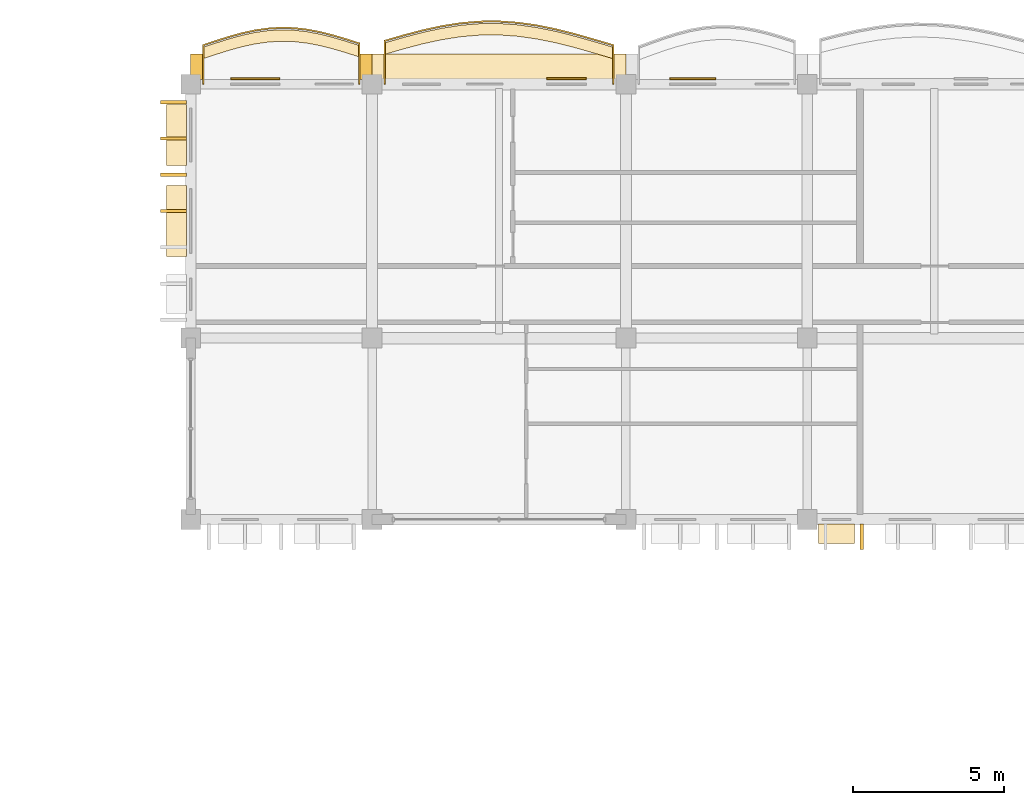
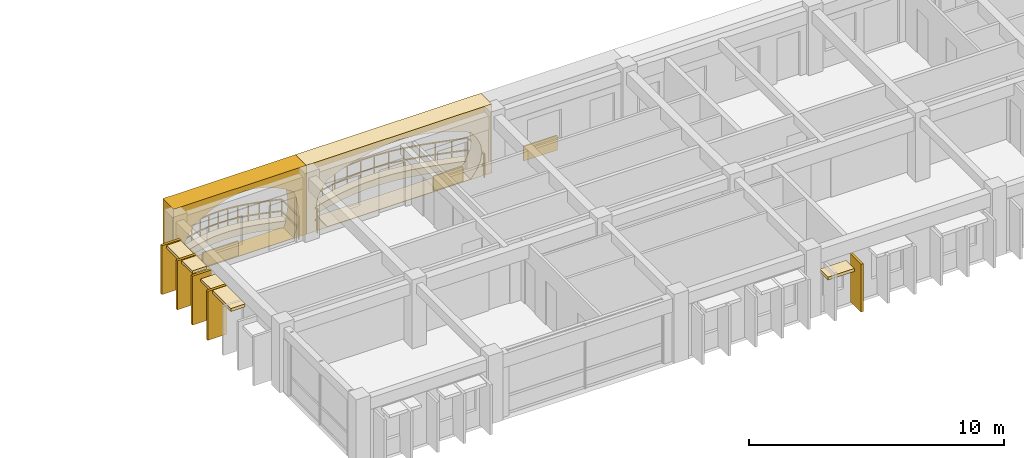
# One storey, part 61 of 76: 15 coverings, 2 railings.
"""IFC4 building model written with IfcOpenShell, lengths in metres."""

import ifcopenshell
import ifcopenshell.guid

model = None  # the IFC model being written
_history = None  # IfcOwnerHistory: only IFC2X3 demands one
_inside = {}  # id of a spatial element -> (the spatial element, [elements in it])
_under = {}  # id of a project, library or spatial element -> (it, [spatial elements below it])
_declared = {}  # id of a project -> (the project, [libraries it declares])
_typed = {}  # id of a type object -> (the type object, [elements of that type])
_made_of = {}  # id of a material, layer set ... -> (it, [elements and type objects made of it])


def new_model(schema):
    """Start an empty IFC model of exactly this schema.

    Asked for "IFC4X3", IfcOpenShell would pick the latest addendum, in which some entities
    have other attributes; the version numbers below select the first issue.
    IFC2X3 requires an IfcOwnerHistory on every rooted entity: one is made here for all.
    """
    global model, _history
    if schema == "IFC4X3":
        model = ifcopenshell.file(schema_version=(4, 3, 0, 0))
    else:
        model = ifcopenshell.file(schema=schema)
    _inside.clear()
    _under.clear()
    _declared.clear()
    _typed.clear()
    _made_of.clear()
    _history = None
    if model.schema == "IFC2X3":
        org = make("IfcOrganization", Name="unknown")
        user = make(
            "IfcPersonAndOrganization",
            ThePerson=make("IfcPerson", FamilyName="unknown"),
            TheOrganization=org,
        )
        app = make(
            "IfcApplication",
            ApplicationDeveloper=org,
            Version="unknown",
            ApplicationFullName="unknown",
            ApplicationIdentifier="unknown",
        )
        _history = make(
            "IfcOwnerHistory",
            OwningUser=user,
            OwningApplication=app,
            ChangeAction="ADDED",
            CreationDate=0,
        )
    return model


def make(cls, **values):
    """One entity of the class cls with the attributes given. An attribute that is None is left unset."""
    return model.create_entity(
        cls, **{name: value for name, value in values.items() if value is not None}
    )


def rooted(cls, **values):
    """An entity with a GlobalId (a new one), such as an element, a storey or a relation."""
    return make(cls, GlobalId=ifcopenshell.guid.new(), OwnerHistory=_history, **values)


def si_unit(unit_type, name, prefix=None):
    """IfcSIUnit, for example si_unit("LENGTHUNIT", "METRE", prefix="MILLI")."""
    return make("IfcSIUnit", UnitType=unit_type, Prefix=prefix, Name=name)


def assignment(units):
    """IfcUnitAssignment: the units of a project."""
    return None if units is None else make("IfcUnitAssignment", Units=units)


def point(xyz):
    """IfcCartesianPoint."""
    return None if xyz is None else make("IfcCartesianPoint", Coordinates=xyz)


def direction(xyz):
    """IfcDirection."""
    return None if xyz is None else make("IfcDirection", DirectionRatios=xyz)


def frame(location, z_axis=None, x_axis=None):
    """IfcAxis2Placement3D, a coordinate frame: its origin and axes. An axis left out is left unset."""
    return make(
        "IfcAxis2Placement3D",
        Location=point(location),
        Axis=direction(z_axis),
        RefDirection=direction(x_axis),
    )


def frame_2d(location, x_axis=None):
    """IfcAxis2Placement2D, a coordinate frame in the plane: its origin and x axis."""
    return make(
        "IfcAxis2Placement2D", Location=point(location), RefDirection=direction(x_axis)
    )


def origin():
    """The frame at (0, 0, 0) with its axes left unset."""
    return frame((0.0, 0.0, 0.0))


def origin_2d():
    """The frame at (0, 0) in the plane with its x axis left unset."""
    return frame_2d((0.0, 0.0))


def place(relative_to, where):
    """IfcLocalPlacement: puts the frame where relative to a parent placement (None: the world)."""
    return make(
        "IfcLocalPlacement", PlacementRelTo=relative_to, RelativePlacement=where
    )


def context(
    kind, dimensions, precision=None, world=None, true_north=None, identifier=None
):
    """IfcGeometricRepresentationContext, for example the 3D "Model" context."""
    return make(
        "IfcGeometricRepresentationContext",
        ContextIdentifier=identifier,
        ContextType=kind,
        CoordinateSpaceDimension=dimensions,
        Precision=precision,
        WorldCoordinateSystem=world,
        TrueNorth=true_north,
    )


def subcontext(parent, identifier, kind, view, scale=None):
    """IfcGeometricRepresentationSubContext, for example "Body" below "Model"."""
    return make(
        "IfcGeometricRepresentationSubContext",
        ContextIdentifier=identifier,
        ContextType=kind,
        ParentContext=parent,
        TargetScale=scale,
        TargetView=view,
    )


def project(units=None, contexts=None):
    """IfcProject with its units and contexts."""
    return rooted(
        "IfcProject",
        Name="project",
        RepresentationContexts=contexts,
        UnitsInContext=assignment(units),
    )


def spatial(cls, under=None, at=None, **own):
    """A site, building, storey or space (cls), placed at a placement, below another one or the project."""
    s = rooted(cls, ObjectPlacement=at, **own)
    if under is not None:
        _under.setdefault(under.id(), (under, []))[1].append(s)
    return s


def polyline(points):
    """IfcPolyline through the points."""
    return make("IfcPolyline", Points=[point(p) for p in points])


def profile(cls, at=None, kind="AREA", **sizes):
    """A parametric profile (cls). Its sizes go by their IFC names, for example OverallWidth=200.0."""
    return make(cls, ProfileType=kind, Position=at, **sizes)


def rectangle(**sizes):
    """IfcRectangleProfileDef."""
    return profile("IfcRectangleProfileDef", **sizes)


def outline(outer, holes=None, kind="AREA"):
    """IfcArbitraryClosedProfileDef: a profile drawn as a closed curve; with holes, ...WithVoids."""
    if holes is None:
        return make("IfcArbitraryClosedProfileDef", ProfileType=kind, OuterCurve=outer)
    return make(
        "IfcArbitraryProfileDefWithVoids",
        ProfileType=kind,
        OuterCurve=outer,
        InnerCurves=holes,
    )


def extrude(swept, where, along, depth):
    """IfcExtrudedAreaSolid: the profile swept, set in the frame where, extruded along a direction by depth."""
    return make(
        "IfcExtrudedAreaSolid",
        SweptArea=swept,
        Position=where,
        ExtrudedDirection=direction(along),
        Depth=depth,
    )


def shape(context_of_items, identifier, shape_type, items):
    """IfcShapeRepresentation: the items that make up one representation, for example the "Body"."""
    return make(
        "IfcShapeRepresentation",
        ContextOfItems=context_of_items,
        RepresentationIdentifier=identifier,
        RepresentationType=shape_type,
        Items=items,
    )


def material(Name=None, Category=None):
    """IfcMaterial."""
    return make("IfcMaterial", Name=Name, Category=Category)


def layer(
    of_material, thickness, ventilated=None, Name=None, Category=None, Priority=None
):
    """IfcMaterialLayer: one layer of a wall or slab, of a material (None: an air gap)."""
    return make(
        "IfcMaterialLayer",
        Material=of_material,
        LayerThickness=thickness,
        IsVentilated=ventilated,
        Name=Name,
        Category=Category,
        Priority=Priority,
    )


def layer_set(layers, Name=None):
    """IfcMaterialLayerSet."""
    return make("IfcMaterialLayerSet", MaterialLayers=layers, LayerSetName=Name)


def made_of(thing, what):
    """Note that an element or type object is made of a material, layer set ...; save() writes the relation."""
    if what is not None:
        _made_of.setdefault(what.id(), (what, []))[1].append(thing)
    return thing


def type_object(cls, material=None, **own):
    """A type object (cls), such as IfcWallType, which elements share."""
    return made_of(rooted(cls, **own), material)


def element(
    cls,
    number,
    at=None,
    inside=None,
    cuts=None,
    type_object=None,
    material=None,
    context=None,
    identifier="Body",
    shape_type=None,
    held_by="IfcProductDefinitionShape",
    body=None,
    shapes=None,
    **own,
):
    """One element of the class cls, such as IfcWall. Its Tag is "e" and its number.

    at: its placement. inside: the storey or other place that contains it. cuts: it is an
    opening in that element (IfcRelVoidsElement). A single representation is given by context,
    identifier, shape_type and body (its items); several are given by shapes. held_by: the class
    of the entity that holds the representations. save() writes the other relations.
    """
    e = rooted(cls, Tag="e%d" % number, ObjectPlacement=at, **own)
    if body is not None:
        shapes = [shape(context, identifier, shape_type, body)]
    if shapes is not None:
        e.Representation = make(held_by, Representations=shapes)
    if inside is not None:
        _inside.setdefault(inside.id(), (inside, []))[1].append(e)
    if cuts is not None:
        rooted(
            "IfcRelVoidsElement", RelatingBuildingElement=cuts, RelatedOpeningElement=e
        )
    if type_object is not None:
        _typed.setdefault(type_object.id(), (type_object, []))[1].append(e)
    return made_of(e, material)


def aggregate(whole, parts):
    """IfcRelAggregates: a whole, such as a stair, and the parts it consists of."""
    return rooted("IfcRelAggregates", RelatingObject=whole, RelatedObjects=parts)


def save(model, path):
    """Write the relations noted so far, then the file.

    IfcRelAggregates (storeys below a building ...), IfcRelContainedInSpatialStructure (elements
    in a storey), IfcRelDefinesByType, IfcRelAssociatesMaterial and IfcRelDeclares: one each for
    every whole, place, type object, material and project.
    """
    for whole, parts in _under.values():
        aggregate(whole, parts)
    for where, things in _inside.values():
        rooted(
            "IfcRelContainedInSpatialStructure",
            RelatedElements=things,
            RelatingStructure=where,
        )
    for kind, things in _typed.values():
        rooted("IfcRelDefinesByType", RelatedObjects=things, RelatingType=kind)
    for what, things in _made_of.values():
        rooted("IfcRelAssociatesMaterial", RelatedObjects=things, RelatingMaterial=what)
    for by, libraries in _declared.values():
        rooted("IfcRelDeclares", RelatingContext=by, RelatedDefinitions=libraries)
    model.write(path)


model = new_model("IFC4")

# Units and contexts
model_context = context("Model", 3, precision=1e-05, world=origin(), true_north=direction((0.0, 1.0)))
body_context = subcontext(model_context, "Body", "Model", "MODEL_VIEW")
ifc_project = project(units=[si_unit("LENGTHUNIT", "METRE"), si_unit("AREAUNIT", "SQUARE_METRE"), si_unit("VOLUMEUNIT", "CUBIC_METRE"), si_unit("PLANEANGLEUNIT", "RADIAN"), si_unit("MASSUNIT", "GRAM", prefix="KILO"), si_unit("THERMODYNAMICTEMPERATUREUNIT", "KELVIN")], contexts=[model_context])

# Site, building, storey
site_placement = place(None, origin())
site = spatial("IfcSite", under=ifc_project, at=site_placement, CompositionType="ELEMENT")
building_placement = place(site_placement, origin())
building = spatial("IfcBuilding", under=site, at=building_placement, Name="Thalorik Housing Commons", CompositionType="ELEMENT")
storey_placement = place(building_placement, frame((0.0, 0.0, 18.0)))
storey = spatial("IfcBuildingStorey", under=building, at=storey_placement, Name="L05", CompositionType="ELEMENT", Elevation=18.0)

# Coverings
ifc_material_1 = material(Name="Cobalt blue glazed ceramic facade tile panel", Category="masonry")
ifc_layer_1 = layer(ifc_material_1, 0.06005859375, Name="Cobalt blue glazed ceramic facade tile panel", Category="masonry")
ifc_layer_set_1 = layer_set([ifc_layer_1], Name="Cobalt blue glazed ceramic facade tile panel")
covering_type_1 = type_object("IfcCoveringType", Name="ARC-CLD-BLU-60", PredefinedType="CLADDING", material=ifc_layer_set_1)
covering_1_placement = place(storey_placement, frame((97.010009765625, 123.780029296875, 0.0498046875), z_axis=(0.0, 0.0, 1.0), x_axis=(-1.0, 0.0, 0.0)))
element("IfcCovering", 1, at=covering_1_placement, inside=storey, type_object=covering_type_1, Name="L05 De Stijl Recessed Window Spandrel 2223", PredefinedType="CLADDING", context=body_context, shape_type="SweptSolid", body=[
    extrude(rectangle(XDim=1.52001953125, YDim=0.06005859375, at=origin_2d()), origin(), (0.0, 0.0, 1.0), 0.699951171875),
])
ifc_material_2 = material(Name="Precast concrete C40/50", Category="concrete")
ifc_layer_2 = layer(ifc_material_2, 0.85009765625, Name="Precast concrete C40/50", Category="concrete")
ifc_layer_set_2 = layer_set([ifc_layer_2], Name="Precast concrete C40/50")
covering_type_2 = type_object("IfcCoveringType", Name="ARC-CLD-CUSH-850", PredefinedType="CLADDING", material=ifc_layer_set_2)
covering_2_placement = place(storey_placement, frame((90.60009765625, 124.169921875, 0.0), z_axis=(0.0, 0.0, 1.0), x_axis=(-1.0, 0.0, 0.0)))
element("IfcCovering", 2, at=covering_2_placement, inside=storey, type_object=covering_type_2, Name="L05 White Precast Curved Cushion Bay Frame 2224", PredefinedType="CLADDING", context=body_context, shape_type="SweptSolid", body=[
    extrude(outline(polyline([(-4.199951171875, 0.0), (4.199951171875, 0.0), (4.199951171875, 3.300048828125), (-4.199951171875, 3.300048828125), (-4.199951171875, 0.0)]), holes=[polyline([(3.24072265625, 0.02490234375), (3.523681640625, 0.399169921875), (3.693359375, 0.773193359375), (3.75, 1.1474609375), (3.693359375, 1.521728515625), (3.523681640625, 1.895751953125), (3.24072265625, 2.27001953125), (2.70068359375, 2.50439453125), (2.16064453125, 2.6884765625), (1.62060546875, 2.837646484375), (1.08056640625, 2.948486328125), (0.54052734375, 3.016845703125), (0.00048828125, 3.0400390625), (-0.539794921875, 3.016845703125), (-1.07958984375, 2.948486328125), (-1.619873046875, 2.837646484375), (-2.159912109375, 2.6884765625), (-2.699951171875, 2.50439453125), (-3.239990234375, 2.27001953125), (-3.523193359375, 1.895751953125), (-3.693359375, 1.521728515625), (-3.75, 1.1474609375), (-3.693359375, 0.773193359375), (-3.523193359375, 0.399169921875), (-3.239990234375, 0.02490234375), (3.24072265625, 0.02490234375)])]), frame((0.0, 0.425048828125, 0.0), z_axis=(0.0, -1.0, 0.0), x_axis=(1.0, 0.0, 0.0)), (0.0, 0.0, 1.0), 0.85009765625),
])
covering_3_placement = place(storey_placement, frame((83.39990234375, 124.169921875, 0.0), z_axis=(0.0, 0.0, 1.0), x_axis=(-1.0, 0.0, 0.0)))
element("IfcCovering", 3, at=covering_3_placement, inside=storey, type_object=covering_type_2, Name="L05 White Precast Curved Cushion Bay Frame 2226", PredefinedType="CLADDING", context=body_context, shape_type="SweptSolid", body=[
    extrude(outline(polyline([(-3.0, 0.0), (3.0, 0.0), (3.0, 3.300048828125), (-3.0, 3.300048828125), (-3.0, 0.0)]), holes=[polyline([(2.0400390625, 0.02490234375), (2.3232421875, 0.394287109375), (2.493408203125, 0.76318359375), (2.550048828125, 1.132568359375), (2.493408203125, 1.501708984375), (2.3232421875, 1.870849609375), (2.0400390625, 2.239990234375), (1.66748046875, 2.4833984375), (1.294921875, 2.6748046875), (0.922607421875, 2.82958984375), (0.550048828125, 2.94482421875), (0.177490234375, 3.01611328125), (-0.195068359375, 3.0400390625), (-0.5673828125, 3.01611328125), (-0.93994140625, 2.94482421875), (-1.3125, 2.82958984375), (-1.68505859375, 2.6748046875), (-2.0576171875, 2.4833984375), (-2.429931640625, 2.239990234375), (-2.55029296875, 1.870849609375), (-2.62255859375, 1.501708984375), (-2.646484375, 1.132568359375), (-2.62255859375, 0.76318359375), (-2.55029296875, 0.394287109375), (-2.429931640625, 0.02490234375), (2.0400390625, 0.02490234375)])]), frame((0.0, 0.425048828125, 0.0), z_axis=(0.0, -1.0, 0.0), x_axis=(1.0, 0.0, 0.0)), (0.0, 0.0, 1.0), 0.85009765625),
])
ifc_layer_3 = layer(ifc_material_2, 0.85009765625, Name="Precast concrete C40/50", Category="concrete")
ifc_layer_set_3 = layer_set([ifc_layer_3], Name="Precast concrete C40/50")
covering_type_3 = type_object("IfcCoveringType", Name="ARC-CLD-FIN-850", PredefinedType="CLADDING", material=ifc_layer_set_3)
for number, where, z_axis, x_axis, name in (
    (4, (79.830078125, 123.0, 0.0400390625), (0.0, 0.0, 1.0), (0.0, -1.0, 0.0), "L05 Courtyard Precast Vertical Brise-Soleil Fin 2228"),
    (5, (79.830078125, 121.800048828125, 0.0400390625), (0.0, 0.0, 1.0), (0.0, -1.0, 0.0), "L05 Courtyard Precast Vertical Brise-Soleil Fin 2229"),
    (6, (79.830078125, 120.60009765625, 0.0400390625), (0.0, 0.0, 1.0), (0.0, -1.0, 0.0), "L05 Courtyard Precast Vertical Brise-Soleil Fin 2230"),
    (7, (79.830078125, 119.39990234375, 0.0400390625), (0.0, 0.0, 1.0), (0.0, -1.0, 0.0), "L05 Courtyard Precast Vertical Brise-Soleil Fin 2231"),
):
    element("IfcCovering", number, at=place(storey_placement, frame(where, z_axis=z_axis, x_axis=x_axis)), inside=storey, type_object=covering_type_3, Name=name, PredefinedType="CLADDING", context=body_context, shape_type="SweptSolid", body=[
        extrude(rectangle(XDim=0.110107421875, YDim=0.85009765625, at=origin_2d()), origin(), (0.0, 0.0, 1.0), 2.344970703125),
    ])
covering_4_placement = place(storey_placement, frame((102.60009765625, 108.6298828125, 0.0400390625), z_axis=(0.0, 0.0, 1.0), x_axis=(1.0, 0.0, 0.0)))
element("IfcCovering", 8, at=covering_4_placement, inside=storey, type_object=covering_type_3, Name="L05 Courtyard Precast Vertical Brise-Soleil Fin 2253", PredefinedType="CLADDING", context=body_context, shape_type="SweptSolid", body=[
    extrude(rectangle(XDim=0.110107421875, YDim=0.85009765625, at=origin_2d()), origin(), (0.0, 0.0, 1.0), 2.294921875),
])
ifc_layer_4 = layer(ifc_material_2, 0.64990234375, Name="Precast concrete C40/50", Category="concrete")
ifc_layer_set_4 = layer_set([ifc_layer_4], Name="Precast concrete C40/50")
covering_type_4 = type_object("IfcCoveringType", Name="ARC-CLD-HOOD-650", PredefinedType="CLADDING", material=ifc_layer_set_4)
covering_5_placement = place(storey_placement, frame((79.929931640625, 121.91748046875, 2.2099609375), z_axis=(0.0, 0.0, 1.0), x_axis=(0.0, -1.0, 0.0)))
element("IfcCovering", 9, at=covering_5_placement, inside=storey, type_object=covering_type_4, Name="L05 Courtyard Precast Window Sun-Hood 2235", PredefinedType="CLADDING", context=body_context, shape_type="SweptSolid", body=[
    extrude(rectangle(XDim=2.02001953125, YDim=0.64990234375, at=origin_2d()), origin(), (0.0, 0.0, 1.0), 0.139892578125),
])
covering_6_placement = place(storey_placement, frame((79.929931640625, 119.072509765625, 2.22998046875), z_axis=(0.0, 0.0, 1.0), x_axis=(0.0, -1.0, 0.0)))
element("IfcCovering", 10, at=covering_6_placement, inside=storey, type_object=covering_type_4, Name="L05 Courtyard Precast Window Sun-Hood 2236", PredefinedType="CLADDING", context=body_context, shape_type="SweptSolid", body=[
    extrude(rectangle(XDim=2.360107421875, YDim=0.64990234375, at=origin_2d()), origin(), (0.0, 0.0, 1.0), 0.139892578125),
])
covering_7_placement = place(storey_placement, frame((101.764892578125, 108.72998046875, 1.93994140625), z_axis=(0.0, 0.0, 1.0), x_axis=(1.0, 0.0, 0.0)))
element("IfcCovering", 11, at=covering_7_placement, inside=storey, type_object=covering_type_4, Name="L05 Courtyard Precast Window Sun-Hood 2259", PredefinedType="CLADDING", context=body_context, shape_type="SweptSolid", body=[
    extrude(rectangle(XDim=1.18994140625, YDim=0.64990234375, at=origin_2d()), origin(), (0.0, 0.0, 1.0), 0.139892578125),
])
ifc_material_3 = material(Name="Terracotta red mineral fibre-cement panel", Category="masonry")
ifc_layer_5 = layer(ifc_material_3, 0.054931640625, Name="Terracotta red mineral fibre-cement panel", Category="masonry")
ifc_layer_set_5 = layer_set([ifc_layer_5], Name="Terracotta red mineral fibre-cement panel")
covering_type_5 = type_object("IfcCoveringType", Name="ARC-CLD-RED-55", PredefinedType="CLADDING", material=ifc_layer_set_5)
covering_8_placement = place(storey_placement, frame((82.534912109375, 123.777587890625, 0.0498046875), z_axis=(0.0, 0.0, 1.0), x_axis=(-1.0, 0.0, 0.0)))
element("IfcCovering", 12, at=covering_8_placement, inside=storey, type_object=covering_type_5, Name="L05 De Stijl Recessed Window Spandrel 2227", PredefinedType="CLADDING", context=body_context, shape_type="SweptSolid", body=[
    extrude(rectangle(XDim=1.6201171875, YDim=0.054931640625, at=origin_2d()), origin(), (0.0, 0.0, 1.0), 0.699951171875),
])
ifc_material_4 = material(Name="Mineral ochre architectural terracotta panel", Category="masonry")
ifc_layer_6 = layer(ifc_material_4, 0.06494140625, Name="Mineral ochre architectural terracotta panel", Category="masonry")
ifc_layer_set_6 = layer_set([ifc_layer_6], Name="Mineral ochre architectural terracotta panel")
covering_type_6 = type_object("IfcCoveringType", Name="ARC-CLD-YEL-65", PredefinedType="CLADDING", material=ifc_layer_set_6)
covering_9_placement = place(storey_placement, frame((92.834228515625, 123.782470703125, 0.0498046875), z_axis=(0.0, 0.0, 1.0), x_axis=(-1.0, 0.0, 0.0)))
element("IfcCovering", 13, at=covering_9_placement, inside=storey, type_object=covering_type_6, Name="L05 De Stijl Recessed Window Spandrel 2225", PredefinedType="CLADDING", context=body_context, shape_type="SweptSolid", body=[
    extrude(rectangle(XDim=1.320068359375, YDim=0.06494140625, at=origin_2d()), origin(), (0.0, 0.0, 1.0), 0.699951171875),
])
ifc_material_5 = material(Name="Planted vegetated substrate and terracotta trough", Category="masonry")
ifc_layer_7 = layer(ifc_material_5, 0.340087890625, Name="Planted vegetated substrate and terracotta trough", Category="masonry")
ifc_layer_set_7 = layer_set([ifc_layer_7], Name="Planted vegetated substrate and terracotta trough")
covering_type_7 = type_object("IfcCoveringType", Name="ARC-COV-PLANTER", PredefinedType="USERDEFINED", material=ifc_layer_set_7)
covering_10_placement = place(storey_placement, origin())
element("IfcCovering", 14, at=covering_10_placement, inside=storey, type_object=covering_type_7, Name="L05 Balcony Slab-Edge Planted Trough 5468", ObjectType="PLANTER", PredefinedType="USERDEFINED", context=body_context, shape_type="SweptSolid", body=[
    extrude(outline(polyline([(85.97998046875, 124.877197265625), (85.550048828125, 125.014404296875), (85.1201171875, 125.141845703125), (84.68994140625, 125.2509765625), (84.260009765625, 125.333251953125), (83.830078125, 125.383056640625), (83.39990234375, 125.39599609375), (82.969970703125, 125.37158203125), (82.5400390625, 125.310791015625), (82.110107421875, 125.218017578125), (81.679931640625, 125.099853515625), (81.25, 124.964599609375), (80.820068359375, 124.82177734375), (80.820068359375, 124.441650390625), (81.25, 124.584716796875), (81.679931640625, 124.719970703125), (82.110107421875, 124.838134765625), (82.5400390625, 124.930908203125), (82.969970703125, 124.991455078125), (83.39990234375, 125.01611328125), (83.830078125, 125.0029296875), (84.260009765625, 124.953369140625), (84.68994140625, 124.87109375), (85.1201171875, 124.761962890625), (85.550048828125, 124.63427734375), (85.97998046875, 124.497314453125), (85.97998046875, 124.877197265625)])), origin(), (0.0, 0.0, 1.0), 0.340087890625),
])
covering_11_placement = place(storey_placement, origin())
element("IfcCovering", 15, at=covering_11_placement, inside=storey, type_object=covering_type_7, Name="L05 Balcony Slab-Edge Planted Trough 5469", ObjectType="PLANTER", PredefinedType="USERDEFINED", context=body_context, shape_type="SweptSolid", body=[
    extrude(outline(polyline([(94.3798828125, 124.8193359375), (93.75, 125.0048828125), (93.1201171875, 125.183349609375), (92.489990234375, 125.342529296875), (91.860107421875, 125.4716796875), (91.22998046875, 125.561279296875), (90.60009765625, 125.60546875), (89.969970703125, 125.6005859375), (89.340087890625, 125.54736328125), (88.7099609375, 125.448974609375), (88.080078125, 125.3125), (87.449951171875, 125.14697265625), (86.820068359375, 124.9638671875), (86.820068359375, 124.583740234375), (87.449951171875, 124.766845703125), (88.080078125, 124.932373046875), (88.7099609375, 125.069091796875), (89.340087890625, 125.16748046875), (89.969970703125, 125.220703125), (90.60009765625, 125.225341796875), (91.22998046875, 125.181396484375), (91.860107421875, 125.091796875), (92.489990234375, 124.962646484375), (93.1201171875, 124.80322265625), (93.75, 124.624755859375), (94.3798828125, 124.439453125), (94.3798828125, 124.8193359375)])), origin(), (0.0, 0.0, 1.0), 0.340087890625),
])

# Railings
ifc_material_6 = material(Name="Steel S355", Category="steel")
railing_type_1 = type_object("IfcRailingType", Name="ARC-RL-BAL-112", PredefinedType="BALUSTRADE", material=ifc_material_6)
railing_1_placement = place(storey_placement, frame((85.97998046875, 123.60009765625, 0.0)))
element("IfcRailing", 16, at=railing_1_placement, inside=storey, type_object=railing_type_1, Name="L05 Cushion Balcony Guardrail 152", PredefinedType="BALUSTRADE", context=body_context, shape_type="SweptSolid", body=[
    extrude(rectangle(XDim=0.050048828125, YDim=0.050048828125, at=origin_2d()), frame((0.0, 0.0, 1.09521484375), z_axis=(0.0, 1.0, 0.0), x_axis=(-1.0, 0.0, 0.0)), (0.0, 0.0, 1.0), 1.34716796875),
    extrude(rectangle(XDim=0.050048828125, YDim=0.050048828125, at=origin_2d()), frame((0.0, 0.0, 0.53515625), z_axis=(0.0, 1.0, 0.0), x_axis=(-1.0, 0.0, 0.0)), (0.0, 0.0, 1.0), 1.34716796875),
    extrude(rectangle(XDim=0.050048828125, YDim=0.050048828125, at=origin_2d()), frame((0.0, 1.34716796875, 1.09521484375), z_axis=(-0.952819131931, 0.30353863317, 0.0), x_axis=(-0.30353863317, -0.952819131931, 0.0)), (0.0, 0.0, 1.0), 0.451171875),
    extrude(rectangle(XDim=0.050048828125, YDim=0.050048828125, at=origin_2d()), frame((0.0, 1.34716796875, 0.53515625), z_axis=(-0.952819131931, 0.30353863317, 0.0), x_axis=(-0.30353863317, -0.952819131931, 0.0)), (0.0, 0.0, 1.0), 0.451171875),
    extrude(rectangle(XDim=0.050048828125, YDim=0.050048828125, at=origin_2d()), frame((-0.429931640625, 1.484130859375, 1.09521484375), z_axis=(-0.958616693349, 0.284699903817, 0.0), x_axis=(-0.284699903817, -0.958616693349, 0.0)), (0.0, 0.0, 1.0), 0.448486328125),
    extrude(rectangle(XDim=0.050048828125, YDim=0.050048828125, at=origin_2d()), frame((-0.429931640625, 1.484130859375, 0.53515625), z_axis=(-0.958616693349, 0.284699903817, 0.0), x_axis=(-0.284699903817, -0.958616693349, 0.0)), (0.0, 0.0, 1.0), 0.448486328125),
    extrude(rectangle(XDim=0.050048828125, YDim=0.050048828125, at=origin_2d()), frame((-0.85986328125, 1.61181640625, 1.09521484375), z_axis=(-0.969295316934, 0.245899549756, 0.0), x_axis=(-0.245899549756, -0.969295316934, 0.0)), (0.0, 0.0, 1.0), 0.44384765625),
    extrude(rectangle(XDim=0.050048828125, YDim=0.050048828125, at=origin_2d()), frame((-0.85986328125, 1.61181640625, 0.53515625), z_axis=(-0.969295316934, 0.245899549756, 0.0), x_axis=(-0.245899549756, -0.969295316934, 0.0)), (0.0, 0.0, 1.0), 0.44384765625),
    extrude(rectangle(XDim=0.050048828125, YDim=0.050048828125, at=origin_2d()), frame((-1.2900390625, 1.720947265625, 1.09521484375), z_axis=(-0.982177105066, 0.187957799209, 0.0), x_axis=(-0.187957799209, -0.982177105066, 0.0)), (0.0, 0.0, 1.0), 0.437744140625),
    extrude(rectangle(XDim=0.050048828125, YDim=0.050048828125, at=origin_2d()), frame((-1.2900390625, 1.720947265625, 0.53515625), z_axis=(-0.982177105066, 0.187957799209, 0.0), x_axis=(-0.187957799209, -0.982177105066, 0.0)), (0.0, 0.0, 1.0), 0.437744140625),
    extrude(rectangle(XDim=0.050048828125, YDim=0.050048828125, at=origin_2d()), frame((-1.719970703125, 1.80322265625, 1.09521484375), z_axis=(-0.993421283169, 0.114517047407, 0.0), x_axis=(-0.114517047407, -0.993421283169, 0.0)), (0.0, 0.0, 1.0), 0.432861328125),
    extrude(rectangle(XDim=0.050048828125, YDim=0.050048828125, at=origin_2d()), frame((-1.719970703125, 1.80322265625, 0.53515625), z_axis=(-0.993421283169, 0.114517047407, 0.0), x_axis=(-0.114517047407, -0.993421283169, 0.0)), (0.0, 0.0, 1.0), 0.432861328125),
    extrude(rectangle(XDim=0.050048828125, YDim=0.050048828125, at=origin_2d()), frame((-2.14990234375, 1.852783203125, 1.09521484375), z_axis=(-0.999530711493, 0.030632609773, 0.0), x_axis=(-0.030632609773, -0.999530711493, 0.0)), (0.0, 0.0, 1.0), 0.430419921875),
    extrude(rectangle(XDim=0.050048828125, YDim=0.050048828125, at=origin_2d()), frame((-2.14990234375, 1.852783203125, 0.53515625), z_axis=(-0.999530711493, 0.030632609773, 0.0), x_axis=(-0.030632609773, -0.999530711493, 0.0)), (0.0, 0.0, 1.0), 0.430419921875),
    extrude(rectangle(XDim=0.050048828125, YDim=0.050048828125, at=origin_2d()), frame((-2.580078125, 1.865966796875, 1.09521484375), z_axis=(-0.998359318778, -0.057259677, 0.0), x_axis=(0.057259677, -0.998359318778, 0.0)), (0.0, 0.0, 1.0), 0.4306640625),
    extrude(rectangle(XDim=0.050048828125, YDim=0.050048828125, at=origin_2d()), frame((-2.580078125, 1.865966796875, 0.53515625), z_axis=(-0.998359318778, -0.057259677, 0.0), x_axis=(0.057259677, -0.998359318778, 0.0)), (0.0, 0.0, 1.0), 0.4306640625),
    extrude(rectangle(XDim=0.050048828125, YDim=0.050048828125, at=origin_2d()), frame((-3.010009765625, 1.84130859375, 1.09521484375), z_axis=(-0.990228692537, -0.139452990204, 0.0), x_axis=(0.139452990204, -0.990228692537, 0.0)), (0.0, 0.0, 1.0), 0.43408203125),
    extrude(rectangle(XDim=0.050048828125, YDim=0.050048828125, at=origin_2d()), frame((-3.010009765625, 1.84130859375, 0.53515625), z_axis=(-0.990228692537, -0.139452990204, 0.0), x_axis=(0.139452990204, -0.990228692537, 0.0)), (0.0, 0.0, 1.0), 0.43408203125),
    extrude(rectangle(XDim=0.050048828125, YDim=0.050048828125, at=origin_2d()), frame((-3.43994140625, 1.78076171875, 1.09521484375), z_axis=(-0.977500851063, -0.210931472688, 0.0), x_axis=(0.210931472688, -0.977500851063, 0.0)), (0.0, 0.0, 1.0), 0.43994140625),
    extrude(rectangle(XDim=0.050048828125, YDim=0.050048828125, at=origin_2d()), frame((-3.43994140625, 1.78076171875, 0.53515625), z_axis=(-0.977500851063, -0.210931472688, 0.0), x_axis=(0.210931472688, -0.977500851063, 0.0)), (0.0, 0.0, 1.0), 0.43994140625),
    extrude(rectangle(XDim=0.050048828125, YDim=0.050048828125, at=origin_2d()), frame((-3.869873046875, 1.68798828125, 1.09521484375), z_axis=(-0.964282306479, -0.264876638102, 0.0), x_axis=(0.264876638102, -0.964282306479, 0.0)), (0.0, 0.0, 1.0), 0.446044921875),
    extrude(rectangle(XDim=0.050048828125, YDim=0.050048828125, at=origin_2d()), frame((-3.869873046875, 1.68798828125, 0.53515625), z_axis=(-0.964282306479, -0.264876638102, 0.0), x_axis=(0.264876638102, -0.964282306479, 0.0)), (0.0, 0.0, 1.0), 0.446044921875),
    extrude(rectangle(XDim=0.050048828125, YDim=0.050048828125, at=origin_2d()), frame((-4.300048828125, 1.56982421875, 1.09521484375), z_axis=(-0.953909569084, -0.300094208559, 0.0), x_axis=(0.300094208559, -0.953909569084, 0.0)), (0.0, 0.0, 1.0), 0.45068359375),
    extrude(rectangle(XDim=0.050048828125, YDim=0.050048828125, at=origin_2d()), frame((-4.300048828125, 1.56982421875, 0.53515625), z_axis=(-0.953909569084, -0.300094208559, 0.0), x_axis=(0.300094208559, -0.953909569084, 0.0)), (0.0, 0.0, 1.0), 0.45068359375),
    extrude(rectangle(XDim=0.050048828125, YDim=0.050048828125, at=origin_2d()), frame((-4.72998046875, 1.4345703125, 1.09521484375), z_axis=(-0.948844817182, -0.315742795496, 0.0), x_axis=(0.315742795496, -0.948844817182, 0.0)), (0.0, 0.0, 1.0), 0.453125),
    extrude(rectangle(XDim=0.050048828125, YDim=0.050048828125, at=origin_2d()), frame((-4.72998046875, 1.4345703125, 0.53515625), z_axis=(-0.948844817182, -0.315742795496, 0.0), x_axis=(0.315742795496, -0.948844817182, 0.0)), (0.0, 0.0, 1.0), 0.453125),
    extrude(rectangle(XDim=0.050048828125, YDim=0.050048828125, at=origin_2d()), frame((-5.159912109375, 1.29150390625, 1.09521484375), z_axis=(0.0, -1.0, 0.0), x_axis=(1.0, 0.0, 0.0)), (0.0, 0.0, 1.0), 1.29150390625),
    extrude(rectangle(XDim=0.050048828125, YDim=0.050048828125, at=origin_2d()), frame((-5.159912109375, 1.29150390625, 0.53515625), z_axis=(0.0, -1.0, 0.0), x_axis=(1.0, 0.0, 0.0)), (0.0, 0.0, 1.0), 1.29150390625),
    extrude(rectangle(XDim=0.0419921875, YDim=0.0419921875, at=origin_2d()), origin(), (0.0, 0.0, 1.0), 1.070068359375),
    extrude(rectangle(XDim=0.0419921875, YDim=0.0419921875, at=origin_2d()), frame((0.0, 1.34716796875, 0.0)), (0.0, 0.0, 1.0), 1.070068359375),
    extrude(rectangle(XDim=0.0419921875, YDim=0.0419921875, at=origin_2d()), frame((-0.429931640625, 1.484130859375, 0.0)), (0.0, 0.0, 1.0), 1.070068359375),
    extrude(rectangle(XDim=0.0419921875, YDim=0.0419921875, at=origin_2d()), frame((-0.85986328125, 1.61181640625, 0.0)), (0.0, 0.0, 1.0), 1.070068359375),
    extrude(rectangle(XDim=0.0419921875, YDim=0.0419921875, at=origin_2d()), frame((-1.2900390625, 1.720947265625, 0.0)), (0.0, 0.0, 1.0), 1.070068359375),
    extrude(rectangle(XDim=0.0419921875, YDim=0.0419921875, at=origin_2d()), frame((-1.719970703125, 1.80322265625, 0.0)), (0.0, 0.0, 1.0), 1.070068359375),
    extrude(rectangle(XDim=0.0419921875, YDim=0.0419921875, at=origin_2d()), frame((-2.14990234375, 1.852783203125, 0.0)), (0.0, 0.0, 1.0), 1.070068359375),
    extrude(rectangle(XDim=0.0419921875, YDim=0.0419921875, at=origin_2d()), frame((-2.580078125, 1.865966796875, 0.0)), (0.0, 0.0, 1.0), 1.070068359375),
    extrude(rectangle(XDim=0.0419921875, YDim=0.0419921875, at=origin_2d()), frame((-3.010009765625, 1.84130859375, 0.0)), (0.0, 0.0, 1.0), 1.070068359375),
    extrude(rectangle(XDim=0.0419921875, YDim=0.0419921875, at=origin_2d()), frame((-3.43994140625, 1.78076171875, 0.0)), (0.0, 0.0, 1.0), 1.070068359375),
    extrude(rectangle(XDim=0.0419921875, YDim=0.0419921875, at=origin_2d()), frame((-3.869873046875, 1.68798828125, 0.0)), (0.0, 0.0, 1.0), 1.070068359375),
    extrude(rectangle(XDim=0.0419921875, YDim=0.0419921875, at=origin_2d()), frame((-4.300048828125, 1.56982421875, 0.0)), (0.0, 0.0, 1.0), 1.070068359375),
    extrude(rectangle(XDim=0.0419921875, YDim=0.0419921875, at=origin_2d()), frame((-4.72998046875, 1.4345703125, 0.0)), (0.0, 0.0, 1.0), 1.070068359375),
    extrude(rectangle(XDim=0.0419921875, YDim=0.0419921875, at=origin_2d()), frame((-5.159912109375, 1.29150390625, 0.0)), (0.0, 0.0, 1.0), 1.070068359375),
    extrude(rectangle(XDim=0.0419921875, YDim=0.0419921875, at=origin_2d()), frame((-5.159912109375, 0.0, 0.0)), (0.0, 0.0, 1.0), 1.070068359375),
])
railing_type_2 = type_object("IfcRailingType", Name="ARC-RL-BAL-115", PredefinedType="BALUSTRADE", material=ifc_material_6)
railing_2_placement = place(storey_placement, frame((94.3798828125, 123.60009765625, 0.0)))
element("IfcRailing", 17, at=railing_2_placement, inside=storey, type_object=railing_type_2, Name="L05 Cushion Balcony Guardrail 153", PredefinedType="BALUSTRADE", context=body_context, shape_type="SweptSolid", body=[
    extrude(rectangle(XDim=0.050048828125, YDim=0.050048828125, at=origin_2d()), frame((0.0, 0.0, 1.125), z_axis=(0.0, 1.0, 0.0), x_axis=(-1.0, 0.0, 0.0)), (0.0, 0.0, 1.0), 1.289306640625),
    extrude(rectangle(XDim=0.050048828125, YDim=0.050048828125, at=origin_2d()), frame((0.0, 0.0, 0.5498046875), z_axis=(0.0, 1.0, 0.0), x_axis=(-1.0, 0.0, 0.0)), (0.0, 0.0, 1.0), 1.289306640625),
    extrude(rectangle(XDim=0.050048828125, YDim=0.050048828125, at=origin_2d()), frame((0.0, 1.289306640625, 1.125), z_axis=(-0.959347736603, 0.282226717861, 0.0), x_axis=(-0.282226717861, -0.959347736603, 0.0)), (0.0, 0.0, 1.0), 0.656494140625),
    extrude(rectangle(XDim=0.050048828125, YDim=0.050048828125, at=origin_2d()), frame((0.0, 1.289306640625, 0.5498046875), z_axis=(-0.959347736603, 0.282226717861, 0.0), x_axis=(-0.282226717861, -0.959347736603, 0.0)), (0.0, 0.0, 1.0), 0.656494140625),
    extrude(rectangle(XDim=0.050048828125, YDim=0.050048828125, at=origin_2d()), frame((-0.6298828125, 1.474609375, 1.125), z_axis=(-0.962028866252, 0.272947724844, 0.0), x_axis=(-0.272947724844, -0.962028866252, 0.0)), (0.0, 0.0, 1.0), 0.65478515625),
    extrude(rectangle(XDim=0.050048828125, YDim=0.050048828125, at=origin_2d()), frame((-0.6298828125, 1.474609375, 0.5498046875), z_axis=(-0.962028866252, 0.272947724844, 0.0), x_axis=(-0.272947724844, -0.962028866252, 0.0)), (0.0, 0.0, 1.0), 0.65478515625),
    extrude(rectangle(XDim=0.050048828125, YDim=0.050048828125, at=origin_2d()), frame((-1.259765625, 1.6533203125, 1.125), z_axis=(-0.969542950291, 0.244921349705, 0.0), x_axis=(-0.244921349705, -0.969542950291, 0.0)), (0.0, 0.0, 1.0), 0.64990234375),
    extrude(rectangle(XDim=0.050048828125, YDim=0.050048828125, at=origin_2d()), frame((-1.259765625, 1.6533203125, 0.5498046875), z_axis=(-0.969542950291, 0.244921349705, 0.0), x_axis=(-0.244921349705, -0.969542950291, 0.0)), (0.0, 0.0, 1.0), 0.64990234375),
    extrude(rectangle(XDim=0.050048828125, YDim=0.050048828125, at=origin_2d()), frame((-1.889892578125, 1.8125, 1.125), z_axis=(-0.979619945128, 0.200860058517, 0.0), x_axis=(-0.200860058517, -0.979619945128, 0.0)), (0.0, 0.0, 1.0), 0.64306640625),
    extrude(rectangle(XDim=0.050048828125, YDim=0.050048828125, at=origin_2d()), frame((-1.889892578125, 1.8125, 0.5498046875), z_axis=(-0.979619945128, 0.200860058517, 0.0), x_axis=(-0.200860058517, -0.979619945128, 0.0)), (0.0, 0.0, 1.0), 0.64306640625),
    extrude(rectangle(XDim=0.050048828125, YDim=0.050048828125, at=origin_2d()), frame((-2.519775390625, 1.941650390625, 1.125), z_axis=(-0.990041345096, 0.140776897966, 0.0), x_axis=(-0.140776897966, -0.990041345096, 0.0)), (0.0, 0.0, 1.0), 0.636474609375),
    extrude(rectangle(XDim=0.050048828125, YDim=0.050048828125, at=origin_2d()), frame((-2.519775390625, 1.941650390625, 0.5498046875), z_axis=(-0.990041345096, 0.140776897966, 0.0), x_axis=(-0.140776897966, -0.990041345096, 0.0)), (0.0, 0.0, 1.0), 0.636474609375),
    extrude(rectangle(XDim=0.050048828125, YDim=0.050048828125, at=origin_2d()), frame((-3.14990234375, 2.03125, 1.125), z_axis=(-0.997575100836, 0.069598262849, 0.0), x_axis=(-0.069598262849, -0.997575100836, 0.0)), (0.0, 0.0, 1.0), 0.63134765625),
    extrude(rectangle(XDim=0.050048828125, YDim=0.050048828125, at=origin_2d()), frame((-3.14990234375, 2.03125, 0.5498046875), z_axis=(-0.997575100836, 0.069598262849, 0.0), x_axis=(-0.069598262849, -0.997575100836, 0.0)), (0.0, 0.0, 1.0), 0.63134765625),
    extrude(rectangle(XDim=0.050048828125, YDim=0.050048828125, at=origin_2d()), frame((-3.77978515625, 2.0751953125, 1.125), z_axis=(-0.99997290535, -0.007361288338, 0.0), x_axis=(0.007361288338, -0.99997290535, 0.0)), (0.0, 0.0, 1.0), 0.630126953125),
    extrude(rectangle(XDim=0.050048828125, YDim=0.050048828125, at=origin_2d()), frame((-3.77978515625, 2.0751953125, 0.5498046875), z_axis=(-0.99997290535, -0.007361288338, 0.0), x_axis=(0.007361288338, -0.99997290535, 0.0)), (0.0, 0.0, 1.0), 0.630126953125),
    extrude(rectangle(XDim=0.050048828125, YDim=0.050048828125, at=origin_2d()), frame((-4.409912109375, 2.070556640625, 1.125), z_axis=(-0.99644920467, -0.084196095588, 0.0), x_axis=(0.084196095588, -0.99644920467, 0.0)), (0.0, 0.0, 1.0), 0.632080078125),
    extrude(rectangle(XDim=0.050048828125, YDim=0.050048828125, at=origin_2d()), frame((-4.409912109375, 2.070556640625, 0.5498046875), z_axis=(-0.99644920467, -0.084196095588, 0.0), x_axis=(0.084196095588, -0.99644920467, 0.0)), (0.0, 0.0, 1.0), 0.632080078125),
    extrude(rectangle(XDim=0.050048828125, YDim=0.050048828125, at=origin_2d()), frame((-5.039794921875, 2.017333984375, 1.125), z_axis=(-0.988028449875, -0.154271780434, 0.0), x_axis=(0.154271780434, -0.988028449875, 0.0)), (0.0, 0.0, 1.0), 0.6376953125),
    extrude(rectangle(XDim=0.050048828125, YDim=0.050048828125, at=origin_2d()), frame((-5.039794921875, 2.017333984375, 0.5498046875), z_axis=(-0.988028449875, -0.154271780434, 0.0), x_axis=(0.154271780434, -0.988028449875, 0.0)), (0.0, 0.0, 1.0), 0.6376953125),
    extrude(rectangle(XDim=0.050048828125, YDim=0.050048828125, at=origin_2d()), frame((-5.669921875, 1.9189453125, 1.125), z_axis=(-0.977244684611, -0.212115125342, 0.0), x_axis=(0.212115125342, -0.977244684611, 0.0)), (0.0, 0.0, 1.0), 0.64453125),
    extrude(rectangle(XDim=0.050048828125, YDim=0.050048828125, at=origin_2d()), frame((-5.669921875, 1.9189453125, 0.5498046875), z_axis=(-0.977244684611, -0.212115125342, 0.0), x_axis=(0.212115125342, -0.977244684611, 0.0)), (0.0, 0.0, 1.0), 0.64453125),
    extrude(rectangle(XDim=0.050048828125, YDim=0.050048828125, at=origin_2d()), frame((-6.2998046875, 1.7822265625, 1.125), z_axis=(-0.967186087483, -0.254069030342, 0.0), x_axis=(0.254069030342, -0.967186087483, 0.0)), (0.0, 0.0, 1.0), 0.651611328125),
    extrude(rectangle(XDim=0.050048828125, YDim=0.050048828125, at=origin_2d()), frame((-6.2998046875, 1.7822265625, 0.5498046875), z_axis=(-0.967186087483, -0.254069030342, 0.0), x_axis=(0.254069030342, -0.967186087483, 0.0)), (0.0, 0.0, 1.0), 0.651611328125),
    extrude(rectangle(XDim=0.050048828125, YDim=0.050048828125, at=origin_2d()), frame((-6.929931640625, 1.61669921875, 1.125), z_axis=(-0.960249728562, -0.279142362954, 0.0), x_axis=(0.279142362954, -0.960249728562, 0.0)), (0.0, 0.0, 1.0), 0.656005859375),
    extrude(rectangle(XDim=0.050048828125, YDim=0.050048828125, at=origin_2d()), frame((-6.929931640625, 1.61669921875, 0.5498046875), z_axis=(-0.960249728562, -0.279142362954, 0.0), x_axis=(0.279142362954, -0.960249728562, 0.0)), (0.0, 0.0, 1.0), 0.656005859375),
    extrude(rectangle(XDim=0.050048828125, YDim=0.050048828125, at=origin_2d()), frame((-7.559814453125, 1.43359375, 1.125), z_axis=(0.0, -1.0, 0.0), x_axis=(1.0, 0.0, 0.0)), (0.0, 0.0, 1.0), 1.43359375),
    extrude(rectangle(XDim=0.050048828125, YDim=0.050048828125, at=origin_2d()), frame((-7.559814453125, 1.43359375, 0.5498046875), z_axis=(0.0, -1.0, 0.0), x_axis=(1.0, 0.0, 0.0)), (0.0, 0.0, 1.0), 1.43359375),
    extrude(rectangle(XDim=0.0419921875, YDim=0.0419921875, at=origin_2d()), origin(), (0.0, 0.0, 1.0), 1.099853515625),
    extrude(rectangle(XDim=0.0419921875, YDim=0.0419921875, at=origin_2d()), frame((0.0, 1.289306640625, 0.0)), (0.0, 0.0, 1.0), 1.099853515625),
    extrude(rectangle(XDim=0.0419921875, YDim=0.0419921875, at=origin_2d()), frame((-0.6298828125, 1.474609375, 0.0)), (0.0, 0.0, 1.0), 1.099853515625),
    extrude(rectangle(XDim=0.0419921875, YDim=0.0419921875, at=origin_2d()), frame((-1.259765625, 1.6533203125, 0.0)), (0.0, 0.0, 1.0), 1.099853515625),
    extrude(rectangle(XDim=0.0419921875, YDim=0.0419921875, at=origin_2d()), frame((-1.889892578125, 1.8125, 0.0)), (0.0, 0.0, 1.0), 1.099853515625),
    extrude(rectangle(XDim=0.0419921875, YDim=0.0419921875, at=origin_2d()), frame((-2.519775390625, 1.941650390625, 0.0)), (0.0, 0.0, 1.0), 1.099853515625),
    extrude(rectangle(XDim=0.0419921875, YDim=0.0419921875, at=origin_2d()), frame((-3.14990234375, 2.03125, 0.0)), (0.0, 0.0, 1.0), 1.099853515625),
    extrude(rectangle(XDim=0.0419921875, YDim=0.0419921875, at=origin_2d()), frame((-3.77978515625, 2.0751953125, 0.0)), (0.0, 0.0, 1.0), 1.099853515625),
    extrude(rectangle(XDim=0.0419921875, YDim=0.0419921875, at=origin_2d()), frame((-4.409912109375, 2.070556640625, 0.0)), (0.0, 0.0, 1.0), 1.099853515625),
    extrude(rectangle(XDim=0.0419921875, YDim=0.0419921875, at=origin_2d()), frame((-5.039794921875, 2.017333984375, 0.0)), (0.0, 0.0, 1.0), 1.099853515625),
    extrude(rectangle(XDim=0.0419921875, YDim=0.0419921875, at=origin_2d()), frame((-5.669921875, 1.9189453125, 0.0)), (0.0, 0.0, 1.0), 1.099853515625),
    extrude(rectangle(XDim=0.0419921875, YDim=0.0419921875, at=origin_2d()), frame((-6.2998046875, 1.7822265625, 0.0)), (0.0, 0.0, 1.0), 1.099853515625),
    extrude(rectangle(XDim=0.0419921875, YDim=0.0419921875, at=origin_2d()), frame((-6.929931640625, 1.61669921875, 0.0)), (0.0, 0.0, 1.0), 1.099853515625),
    extrude(rectangle(XDim=0.0419921875, YDim=0.0419921875, at=origin_2d()), frame((-7.559814453125, 1.43359375, 0.0)), (0.0, 0.0, 1.0), 1.099853515625),
    extrude(rectangle(XDim=0.0419921875, YDim=0.0419921875, at=origin_2d()), frame((-7.559814453125, 0.0, 0.0)), (0.0, 0.0, 1.0), 1.099853515625),
])

save(model, "model.ifc")
